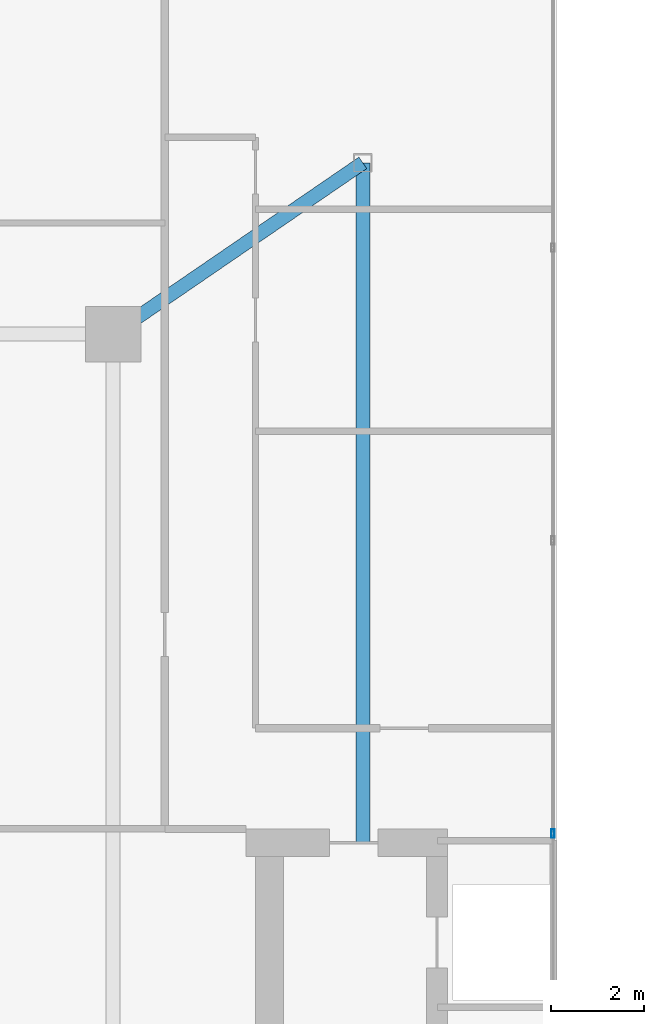
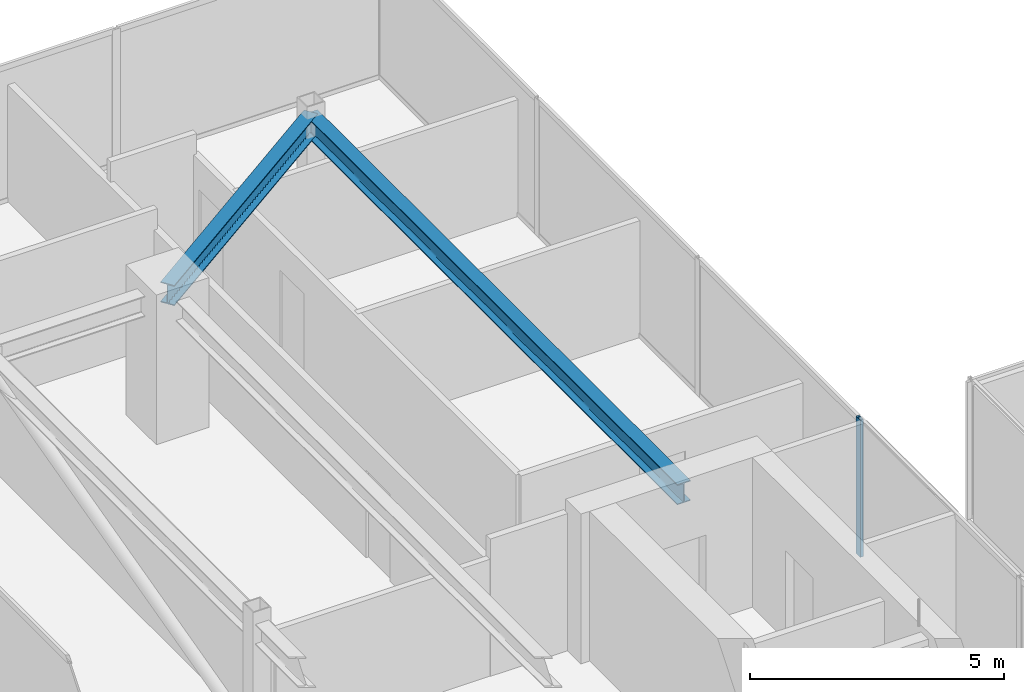
# One storey, part 10 of 16: 2 beams, 1 member, 1 element without a shape of its own.
"""IFC4 building model written with IfcOpenShell, lengths in metres."""

from ifc_helpers import new_model, si_unit, direction, frame, origin, origin_2d, place, context, subcontext, project, spatial, hollow_rectangle, i_section, extrude, source, transform, mapped, material, material_profile, profile_set, type_object, type_shapes, element, aggregate, save


model = new_model("IFC4")

# Units and contexts
model_context = context("Model", 3, precision=1e-05, world=origin(), true_north=direction((0.0, 1.0)))
body_context = subcontext(model_context, "Body", "Model", "MODEL_VIEW")
ifc_project = project(units=[si_unit("LENGTHUNIT", "METRE"), si_unit("AREAUNIT", "SQUARE_METRE"), si_unit("VOLUMEUNIT", "CUBIC_METRE"), si_unit("PLANEANGLEUNIT", "RADIAN"), si_unit("MASSUNIT", "GRAM", prefix="KILO")], contexts=[model_context])

# Site, building, storey
site_placement = place(None, origin())
site = spatial("IfcSite", under=ifc_project, at=site_placement, CompositionType="ELEMENT")
building_placement = place(site_placement, origin())
building = spatial("IfcBuilding", under=site, at=building_placement, Name="Krantzveldt Concourse Tower", CompositionType="ELEMENT")
storey_placement = place(building_placement, frame((0.0, 0.0, 381.85009765625)))
storey = spatial("IfcBuildingStorey", under=building, at=storey_placement, Name="L94", CompositionType="ELEMENT", Elevation=381.85009765625)

# Beams
ifc_material_1 = material(Name="Steel S355JR", Category="steel")
ifc_material_profile_1 = material_profile(ifc_material_1, i_section(OverallWidth=0.300048828125, OverallDepth=0.489990234375, WebThickness=0.011962890625, FlangeThickness=0.02294921875, FilletRadius=0.027099609375, at=origin_2d()), Name="Steel S355JR", Category="steel")
ifc_profile_set_1 = profile_set([ifc_material_profile_1], Name="Steel S355JR - HEA 500")
beam_type = type_object("IfcBeamType", Name="BM-B-HEA500", PredefinedType="BEAM", material=ifc_profile_set_1)
shared_shape_1 = source(origin(), body_context, "Body", "SweptSolid", [
    extrude(i_section(OverallWidth=0.300048828125, OverallDepth=0.489990234375, WebThickness=0.011962890625, FlangeThickness=0.02294921875, FilletRadius=0.027099609375, at=origin_2d()), origin(), (0.0, 0.0, 1.0), 6.546142578125),
])
beam_1_placement = place(storey_placement, frame((25.199951171875, 37.5, 3.054931640625), z_axis=(0.824942999484, 0.565215930068, 0.0), x_axis=(-0.565215930068, 0.824942999484, 0.0)))
element("IfcBeam", 1, at=beam_1_placement, inside=storey, type_object=beam_type, Name="L94 Crown Girder WEST-4", PredefinedType="BEAM", context=body_context, shape_type="MappedRepresentation", body=[
    mapped(shared_shape_1, transform((0.0, 0.0, 0.0), x_axis=(1.0, 0.0, 0.0), y_axis=(0.0, 1.0, 0.0), z_axis=(0.0, 0.0, 1.0), scale=1.0)),
])
shared_shape_2 = source(origin(), body_context, "Body", "SweptSolid", [
    extrude(i_section(OverallWidth=0.300048828125, OverallDepth=0.489990234375, WebThickness=0.011962890625, FlangeThickness=0.02294921875, FilletRadius=0.027099609375, at=origin_2d()), origin(), (0.0, 0.0, 1.0), 14.699951171875),
])
type_shapes(beam_type, [shared_shape_1, shared_shape_2])
beam_2_placement = place(storey_placement, frame((30.60009765625, 41.199951171875, 3.054931640625), z_axis=(0.0, -1.0, 0.0), x_axis=(1.0, 0.0, 0.0)))
element("IfcBeam", 2, at=beam_2_placement, inside=storey, type_object=beam_type, Name="L94 Crown Girder WEST-5", PredefinedType="BEAM", context=body_context, shape_type="MappedRepresentation", body=[
    mapped(shared_shape_2, transform((0.0, 0.0, 0.0), x_axis=(1.0, 0.0, 0.0), y_axis=(0.0, 1.0, 0.0), z_axis=(0.0, 0.0, 1.0), scale=1.0)),
])

# Curtain wall, member
ifc_material_2 = material(Name="Anodised aluminium 6063-T6", Category="aluminium")
curtain_wall_type = type_object("IfcCurtainWallType", Name="CW7", PredefinedType="USERDEFINED", material=ifc_material_2)
curtain_wall_placement = place(storey_placement, origin())
curtain_wall = element("IfcCurtainWall", 3, at=curtain_wall_placement, inside=storey, type_object=curtain_wall_type, Name="CW-L94-WEST-01", ObjectType="UNITISED CURTAIN WALL", PredefinedType="USERDEFINED")
ifc_material_profile_2 = material_profile(ifc_material_2, hollow_rectangle(XDim=0.070068359375, YDim=0.179931640625, WallThickness=0.0048828125, at=origin_2d()), Name="Anodised aluminium 6063-T6", Category="aluminium")
ifc_profile_set_2 = profile_set([ifc_material_profile_2], Name="Anodised aluminium 6063-T6 - ALU-MULL 180x70x5")
member_type = type_object("IfcMemberType", Name="CW-MUL-180", PredefinedType="MULLION", material=ifc_profile_set_2)
shared_shape_3 = source(origin(), body_context, "Body", "SweptSolid", [
    extrude(hollow_rectangle(XDim=0.070068359375, YDim=0.179931640625, WallThickness=0.0048828125, at=origin_2d()), origin(), (0.0, 0.0, 1.0), 3.2998046875),
])
type_shapes(member_type, [shared_shape_3])
member_placement = place(storey_placement, frame((34.7099609375, 26.699951171875, 0.0), z_axis=(0.0, 0.0, 1.0), x_axis=(-1.0, 0.0, 0.0)))
member = element("IfcMember", 4, at=member_placement, type_object=member_type, Name="CW-CRN mullion 4", PredefinedType="MULLION", context=body_context, shape_type="MappedRepresentation", body=[
    mapped(shared_shape_3, transform((0.0, 0.0, 0.0), x_axis=(1.0, 0.0, 0.0), y_axis=(0.0, 1.0, 0.0), z_axis=(0.0, 0.0, 1.0), scale=1.0)),
])
aggregate(curtain_wall, [member])

save(model, "model.ifc")
